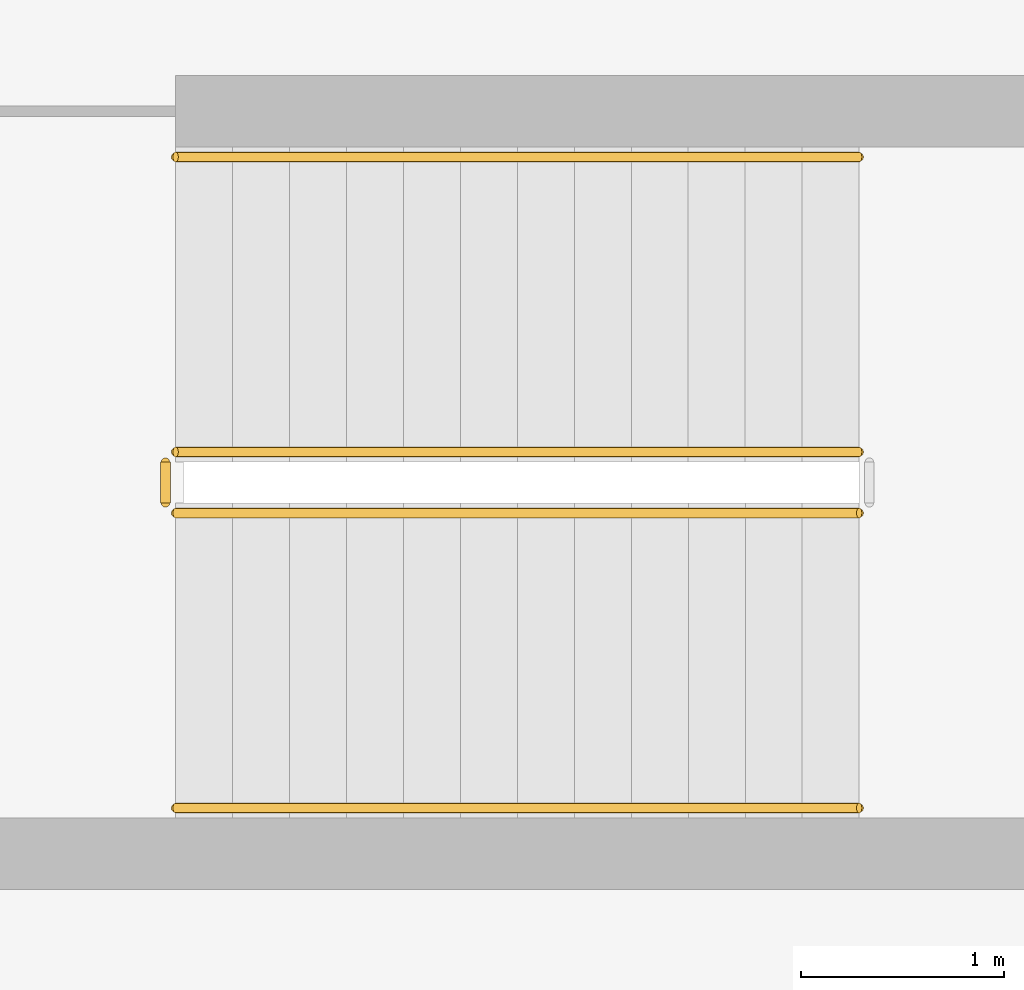
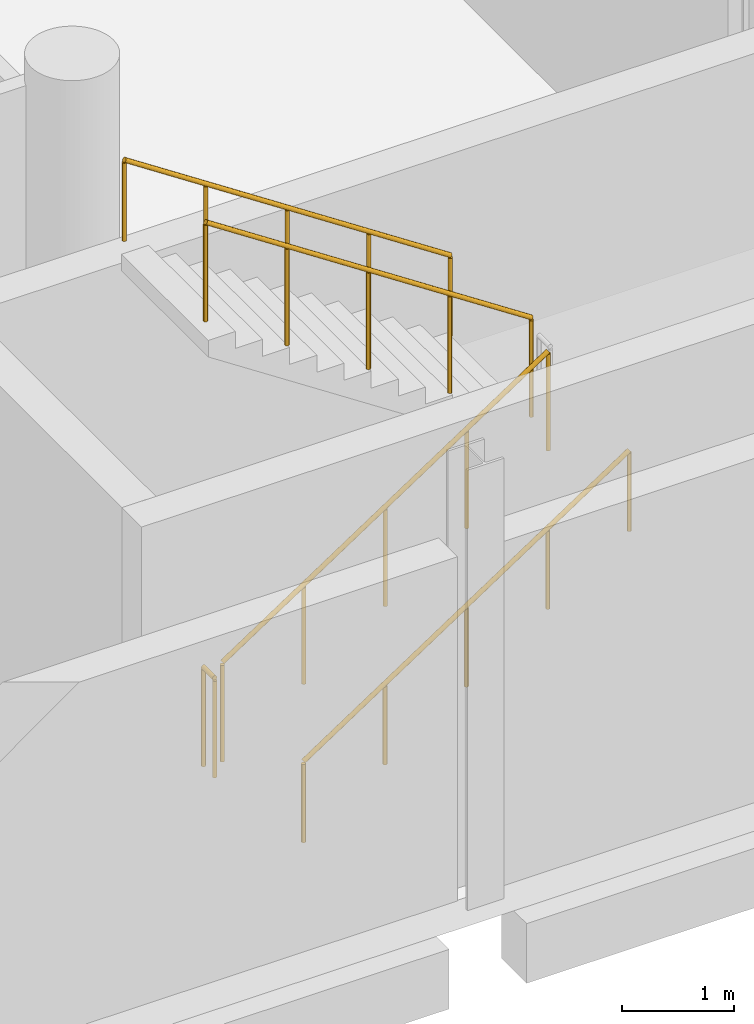
# One storey, part 122 of 127: 5 railings.
"""IFC4 building model written with IfcOpenShell, lengths in metres."""

from ifc_helpers import new_model, si_unit, direction, frame, origin, origin_2d, place, context, subcontext, project, spatial, circle, extrude, material, type_object, element, save


model = new_model("IFC4")

# Units and contexts
model_context = context("Model", 3, precision=1e-05, world=origin(), true_north=direction((0.0, 1.0)))
body_context = subcontext(model_context, "Body", "Model", "MODEL_VIEW")
ifc_project = project(units=[si_unit("LENGTHUNIT", "METRE"), si_unit("AREAUNIT", "SQUARE_METRE"), si_unit("VOLUMEUNIT", "CUBIC_METRE"), si_unit("PLANEANGLEUNIT", "RADIAN"), si_unit("MASSUNIT", "GRAM", prefix="KILO")], contexts=[model_context])

# Site, building, storey
site_placement = place(None, origin())
site = spatial("IfcSite", under=ifc_project, at=site_placement, CompositionType="ELEMENT")
building_placement = place(site_placement, origin())
building = spatial("IfcBuilding", under=site, at=building_placement, Name="Kalmorath City Hall", CompositionType="ELEMENT")
storey_placement = place(building_placement, frame((0.0, 0.0, 5.39990234375)))
storey = spatial("IfcBuildingStorey", under=building, at=storey_placement, Name="L01", CompositionType="ELEMENT", Elevation=5.39990234375)

# Railings
ifc_material_1 = material(Name="Painted steel guardrail", Category="steel")
railing_type_1 = type_object("IfcRailingType", Name="Protected stair guardrail 1100", PredefinedType="GUARDRAIL", material=ifc_material_1)
railing_1_placement = place(storey_placement, frame((157.35009765625, 2.699951171875, 0.184814453125)))
element("IfcRailing", 1, at=railing_1_placement, inside=storey, type_object=railing_type_1, Name="L01 ST-7 stair guard 1", PredefinedType="GUARDRAIL", context=body_context, shape_type="SweptSolid", body=[
    extrude(circle(Radius=0.02392578125, at=origin_2d()), frame((0.0, 0.0, 1.076171875), z_axis=(0.834858096282, 0.0, 0.550465220583), x_axis=(0.0, 1.0, 0.0)), (0.0, 0.0, 1.0), 4.0244140625),
    extrude(circle(Radius=0.02099609375, at=origin_2d()), origin(), (0.0, 0.0, 1.0), 1.052001953125),
    extrude(circle(Radius=0.02099609375, at=origin_2d()), frame((0.83984375, 0.0, 0.5537109375)), (0.0, 0.0, 1.0), 1.052001953125),
    extrude(circle(Radius=0.02099609375, at=origin_2d()), frame((1.679931640625, 0.0, 1.107666015625)), (0.0, 0.0, 1.0), 1.052001953125),
    extrude(circle(Radius=0.02099609375, at=origin_2d()), frame((2.52001953125, 0.0, 1.66162109375)), (0.0, 0.0, 1.0), 1.052001953125),
    extrude(circle(Radius=0.02099609375, at=origin_2d()), frame((3.35986328125, 0.0, 2.21533203125)), (0.0, 0.0, 1.0), 1.052001953125),
])
railing_2_placement = place(storey_placement, frame((160.7099609375, 3.0, 2.584716796875)))
element("IfcRailing", 2, at=railing_2_placement, inside=storey, type_object=railing_type_1, Name="L01 ST-7 stair guard 3", PredefinedType="GUARDRAIL", context=body_context, shape_type="SweptSolid", body=[
    extrude(circle(Radius=0.02392578125, at=origin_2d()), frame((0.0, 0.0, 1.076171875), z_axis=(-0.834858096282, 0.0, 0.550465220583), x_axis=(0.0, -1.0, 0.0)), (0.0, 0.0, 1.0), 4.0244140625),
    extrude(circle(Radius=0.02099609375, at=origin_2d()), origin(), (0.0, 0.0, 1.0), 1.052001953125),
    extrude(circle(Radius=0.02099609375, at=origin_2d()), frame((-0.83984375, 0.0, 0.5537109375)), (0.0, 0.0, 1.0), 1.052001953125),
    extrude(circle(Radius=0.02099609375, at=origin_2d()), frame((-1.679931640625, 0.0, 1.107666015625)), (0.0, 0.0, 1.0), 1.052001953125),
    extrude(circle(Radius=0.02099609375, at=origin_2d()), frame((-2.52001953125, 0.0, 1.66162109375)), (0.0, 0.0, 1.0), 1.052001953125),
    extrude(circle(Radius=0.02099609375, at=origin_2d()), frame((-3.35986328125, 0.0, 2.21533203125)), (0.0, 0.0, 1.0), 1.052001953125),
])
railing_3_placement = place(storey_placement, frame((157.300048828125, 2.75, 0.0)))
element("IfcRailing", 3, at=railing_3_placement, inside=storey, type_object=railing_type_1, Name="L01 ST-7 stair guard 4", PredefinedType="GUARDRAIL", context=body_context, shape_type="SweptSolid", body=[
    extrude(circle(Radius=0.02392578125, at=origin_2d()), frame((0.0, 0.0, 1.076171875), z_axis=(0.0, 1.0, 0.0), x_axis=(-1.0, 0.0, 0.0)), (0.0, 0.0, 1.0), 0.199951171875),
    extrude(circle(Radius=0.02099609375, at=origin_2d()), origin(), (0.0, 0.0, 1.0), 1.052001953125),
    extrude(circle(Radius=0.02099609375, at=origin_2d()), frame((0.0, 0.199951171875, 0.0)), (0.0, 0.0, 1.0), 1.052001953125),
])
ifc_material_2 = material(Name="Brushed stainless steel handrail", Category="steel")
railing_type_2 = type_object("IfcRailingType", Name="Stair pitch handrail 900", PredefinedType="HANDRAIL", material=ifc_material_2)
railing_4_placement = place(storey_placement, frame((157.35009765625, 1.25, 0.184814453125)))
element("IfcRailing", 4, at=railing_4_placement, inside=storey, type_object=railing_type_2, Name="L01 ST-7 stair handrail 1", PredefinedType="HANDRAIL", context=body_context, shape_type="SweptSolid", body=[
    extrude(circle(Radius=0.02392578125, at=origin_2d()), frame((0.0, 0.0, 0.8759765625), z_axis=(0.834858096282, 0.0, 0.550465220583), x_axis=(0.0, 1.0, 0.0)), (0.0, 0.0, 1.0), 4.0244140625),
    extrude(circle(Radius=0.02099609375, at=origin_2d()), origin(), (0.0, 0.0, 1.0), 0.851806640625),
    extrude(circle(Radius=0.02099609375, at=origin_2d()), frame((0.83984375, 0.0, 0.5537109375)), (0.0, 0.0, 1.0), 0.851806640625),
    extrude(circle(Radius=0.02099609375, at=origin_2d()), frame((1.679931640625, 0.0, 1.107666015625)), (0.0, 0.0, 1.0), 0.851806640625),
    extrude(circle(Radius=0.02099609375, at=origin_2d()), frame((2.52001953125, 0.0, 1.66162109375)), (0.0, 0.0, 1.0), 0.851806640625),
    extrude(circle(Radius=0.02099609375, at=origin_2d()), frame((3.35986328125, 0.0, 2.21533203125)), (0.0, 0.0, 1.0), 0.851806640625),
])
railing_5_placement = place(storey_placement, frame((160.7099609375, 4.449951171875, 2.584716796875)))
element("IfcRailing", 5, at=railing_5_placement, inside=storey, type_object=railing_type_2, Name="L01 ST-7 stair handrail 2", PredefinedType="HANDRAIL", context=body_context, shape_type="SweptSolid", body=[
    extrude(circle(Radius=0.02392578125, at=origin_2d()), frame((0.0, 0.0, 0.8759765625), z_axis=(-0.834858096282, 0.0, 0.550465220583), x_axis=(0.0, -1.0, 0.0)), (0.0, 0.0, 1.0), 4.0244140625),
    extrude(circle(Radius=0.02099609375, at=origin_2d()), origin(), (0.0, 0.0, 1.0), 0.851806640625),
    extrude(circle(Radius=0.02099609375, at=origin_2d()), frame((-0.83984375, 0.0, 0.5537109375)), (0.0, 0.0, 1.0), 0.851806640625),
    extrude(circle(Radius=0.02099609375, at=origin_2d()), frame((-1.679931640625, 0.0, 1.107666015625)), (0.0, 0.0, 1.0), 0.851806640625),
    extrude(circle(Radius=0.02099609375, at=origin_2d()), frame((-2.52001953125, 0.0, 1.66162109375)), (0.0, 0.0, 1.0), 0.851806640625),
    extrude(circle(Radius=0.02099609375, at=origin_2d()), frame((-3.35986328125, 0.0, 2.21533203125)), (0.0, 0.0, 1.0), 0.851806640625),
])

save(model, "model.ifc")
